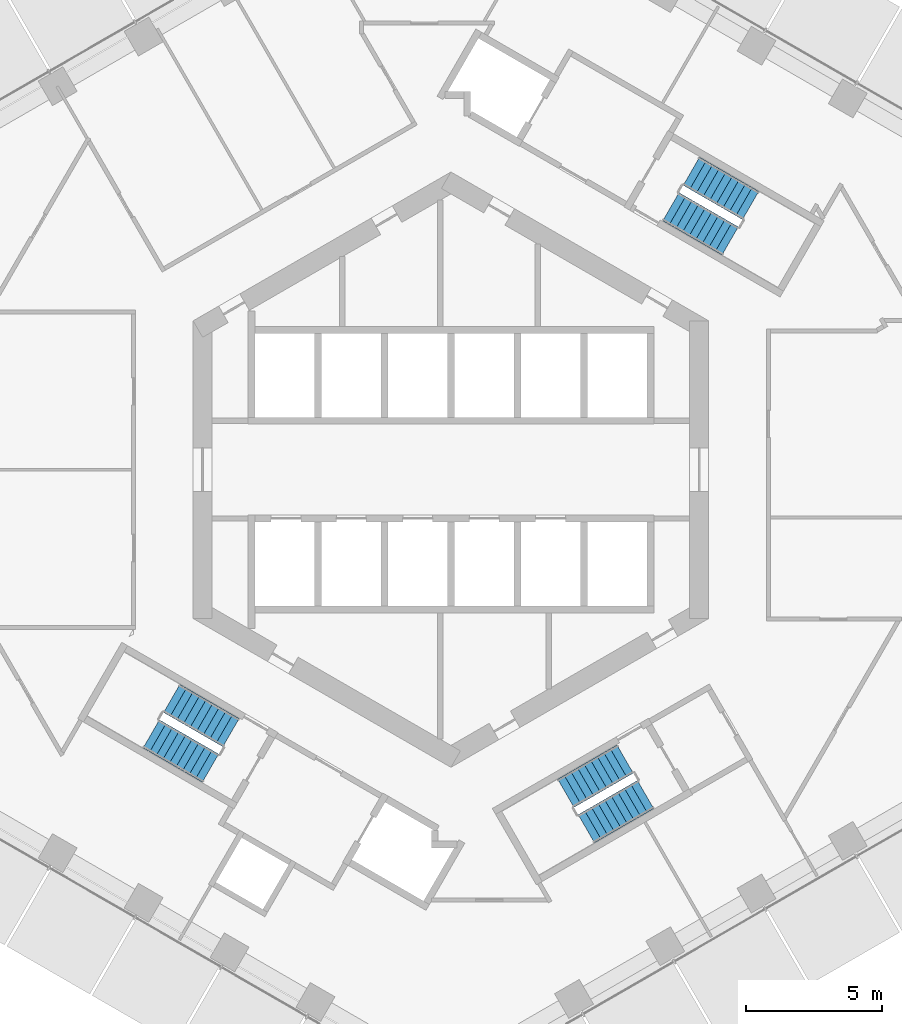
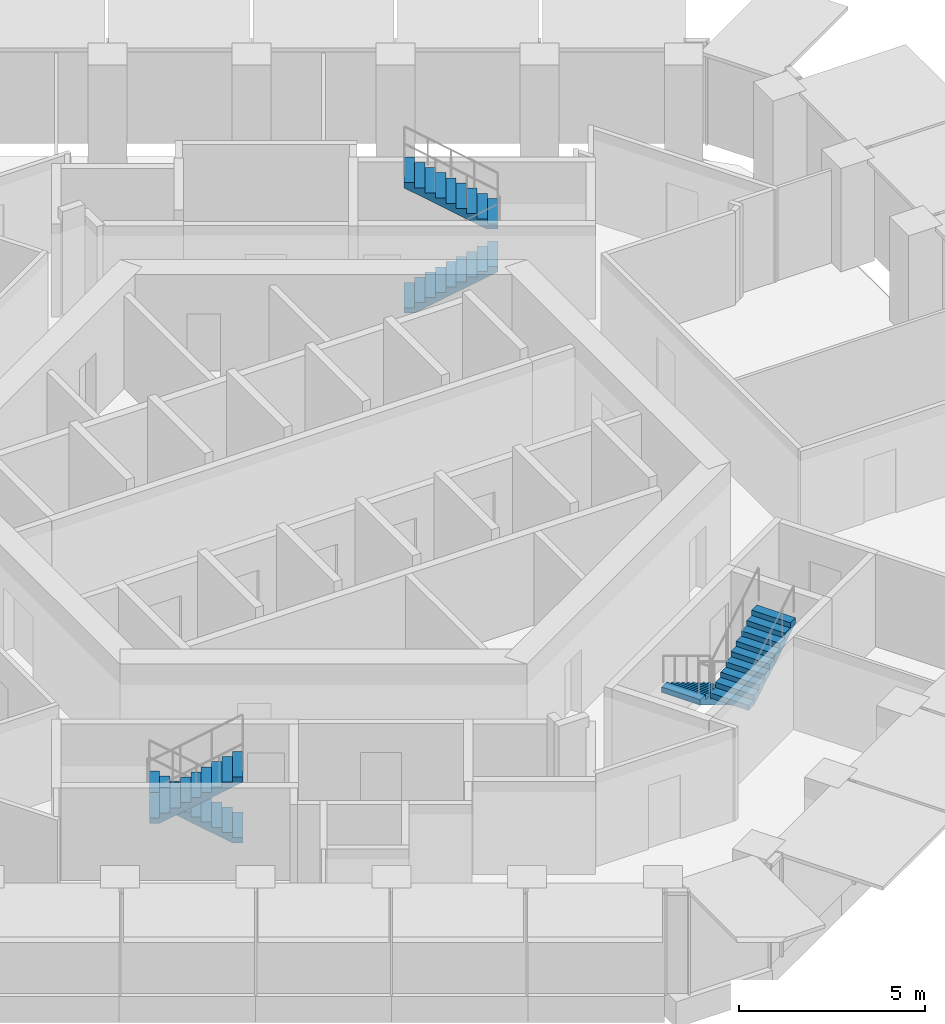
# One storey, part 17 of 19: 6 stair flights, 3 elements without a shape of their own.
"""IFC4 building model written with IfcOpenShell, lengths in metres."""

from ifc_helpers import new_model, si_unit, direction, frame, origin, place, context, subcontext, project, spatial, triangles, material, type_object, element, aggregate, save


model = new_model("IFC4")

# Units and contexts
model_context = context("Model", 3, precision=1e-05, world=origin(), true_north=direction((0.0, 1.0)))
body_context = subcontext(model_context, "Body", "Model", "MODEL_VIEW")
ifc_project = project(units=[si_unit("LENGTHUNIT", "METRE"), si_unit("AREAUNIT", "SQUARE_METRE"), si_unit("VOLUMEUNIT", "CUBIC_METRE"), si_unit("PLANEANGLEUNIT", "RADIAN"), si_unit("MASSUNIT", "GRAM", prefix="KILO")], contexts=[model_context])

# Site, building, storey
site_placement = place(None, origin())
site = spatial("IfcSite", under=ifc_project, at=site_placement, CompositionType="ELEMENT")
building_placement = place(site_placement, origin())
building = spatial("IfcBuilding", under=site, at=building_placement, Name="Ayvan Gate Tower", CompositionType="ELEMENT")
storey_placement = place(building_placement, frame((0.0, 0.0, 100.10009765625)))
storey = spatial("IfcBuildingStorey", under=building, at=storey_placement, Name="L26", CompositionType="ELEMENT", Elevation=100.10009765625)

# Stair, stair flights
ifc_material = material(Name="Concrete C40/50", Category="concrete")
stair_type = type_object("IfcStairType", Name="ST-EXIT", PredefinedType="HALF_TURN_STAIR", material=ifc_material)
stair_1_placement = place(storey_placement, origin())
stair_1 = element("IfcStair", 1, at=stair_1_placement, inside=storey, type_object=stair_type, Name="L26 Exit Stair S1", PredefinedType="HALF_TURN_STAIR")
stair_flight_type = type_object("IfcStairFlightType", Name="SFL-EXIT", PredefinedType="STRAIGHT", material=ifc_material)
stair_flight_1_placement = place(storey_placement, frame((8.106201171875, 9.690185546875, 0.0), z_axis=(0.0, 0.0, 1.0), x_axis=(0.866025403784, -0.5, 0.0)))
stair_flight_1 = element("IfcStairFlight", 2, at=stair_flight_1_placement, type_object=stair_flight_type, Name="STS1 flight 1", NumberOfRisers=10, NumberOfTreads=9, PredefinedType="STRAIGHT", RiserHeight=0.17, TreadLength=0.28, context=body_context, shape_type="Tessellation", body=[
    triangles([(0.288841, -0.599976, 0.0), (2.5205, -0.599976, 1.354936), (2.5205, -0.599976, 1.53), (2.24, -0.599976, 1.53), (2.24, -0.599976, 1.36), (1.96, -0.599976, 1.36), (1.96, -0.599976, 1.19), (1.68, -0.599976, 1.19), (1.68, -0.599976, 1.02), (1.4, -0.599976, 1.02), (1.4, -0.599976, 0.85), (1.12, -0.599976, 0.85), (1.12, -0.599976, 0.68), (0.84, -0.599976, 0.68), (0.84, -0.599976, 0.51), (0.56, -0.599976, 0.51), (0.56, -0.599976, 0.34), (0.28, -0.599976, 0.34), (0.28, -0.599976, 0.17), (-0.0005, -0.599976, 0.17), (-0.0005, -0.599976, 0.0), (0.288841, 0.0, 0.0), (2.5205, 0.0, 1.354936), (2.5205, 0.0, 1.53), (2.24, 0.0, 1.53), (2.24, 0.0, 1.36), (1.96, 0.0, 1.36), (1.96, 0.0, 1.19), (1.68, 0.0, 1.19), (1.68, 0.0, 1.02), (1.4, 0.0, 1.02), (1.4, 0.0, 0.85), (1.12, 0.0, 0.85), (1.12, 0.0, 0.68), (0.84, 0.0, 0.68), (0.84, 0.0, 0.51), (0.56, 0.0, 0.51), (0.56, 0.0, 0.34), (0.28, 0.0, 0.34), (0.28, 0.0, 0.17), (-0.0005, 0.0, 0.17), (-0.0005, 0.0, 0.0), (0.288841, 0.599976, 0.0), (2.5205, 0.599976, 1.354936), (2.5205, 0.599976, 1.53), (2.24, 0.599976, 1.53), (2.24, 0.599976, 1.36), (1.96, 0.599976, 1.36), (1.96, 0.599976, 1.19), (1.68, 0.599976, 1.19), (1.68, 0.599976, 1.02), (1.4, 0.599976, 1.02), (1.4, 0.599976, 0.85), (1.12, 0.599976, 0.85), (1.12, 0.599976, 0.68), (0.84, 0.599976, 0.68), (0.84, 0.599976, 0.51), (0.56, 0.599976, 0.51), (0.56, 0.599976, 0.34), (0.28, 0.599976, 0.34), (0.28, 0.599976, 0.17), (-0.0005, 0.599976, 0.17), (-0.0005, 0.599976, 0.0)], [[21, 1, 2], [63, 44, 43], [2, 3, 4], [44, 46, 45], [2, 4, 5], [44, 47, 46], [2, 5, 6], [44, 48, 47], [2, 6, 7], [44, 49, 48], [7, 8, 9], [49, 51, 50], [2, 7, 9], [44, 51, 49], [9, 10, 11], [51, 53, 52], [2, 9, 11], [44, 53, 51], [11, 12, 13], [53, 55, 54], [2, 11, 13], [44, 55, 53], [13, 14, 15], [55, 57, 56], [2, 13, 15], [44, 57, 55], [15, 16, 17], [57, 59, 58], [2, 15, 17], [44, 59, 57], [17, 18, 19], [59, 61, 60], [2, 17, 19], [44, 61, 59], [21, 2, 19], [63, 61, 44], [19, 20, 21], [61, 63, 62], [1, 22, 23], [1, 23, 2], [43, 23, 22], [43, 44, 23], [2, 23, 24], [2, 24, 3], [44, 24, 23], [44, 45, 24], [3, 24, 25], [3, 25, 4], [45, 25, 24], [45, 46, 25], [4, 25, 26], [4, 26, 5], [46, 26, 25], [46, 47, 26], [5, 26, 27], [5, 27, 6], [47, 27, 26], [47, 48, 27], [6, 27, 28], [6, 28, 7], [48, 28, 27], [48, 49, 28], [7, 28, 29], [7, 29, 8], [49, 29, 28], [49, 50, 29], [8, 29, 30], [8, 30, 9], [50, 30, 29], [50, 51, 30], [9, 30, 31], [9, 31, 10], [51, 31, 30], [51, 52, 31], [10, 31, 32], [10, 32, 11], [52, 32, 31], [52, 53, 32], [11, 32, 33], [11, 33, 12], [53, 33, 32], [53, 54, 33], [12, 33, 34], [12, 34, 13], [54, 34, 33], [54, 55, 34], [13, 34, 35], [13, 35, 14], [55, 35, 34], [55, 56, 35], [14, 35, 36], [14, 36, 15], [56, 36, 35], [56, 57, 36], [15, 36, 37], [15, 37, 16], [57, 37, 36], [57, 58, 37], [16, 37, 38], [16, 38, 17], [58, 38, 37], [58, 59, 38], [17, 38, 39], [17, 39, 18], [59, 39, 38], [59, 60, 39], [18, 39, 40], [18, 40, 19], [60, 40, 39], [60, 61, 40], [19, 40, 41], [19, 41, 20], [61, 41, 40], [61, 62, 41], [20, 41, 42], [20, 42, 21], [62, 42, 41], [62, 63, 42], [21, 42, 22], [21, 22, 1], [63, 22, 42], [63, 43, 22]], closed=True),
])
stair_flight_2_placement = place(storey_placement, frame((11.04345703125, 9.73779296875, 1.699951171875), z_axis=(0.0, 0.0, 1.0), x_axis=(-0.866025403784, 0.5, 0.0)))
stair_flight_2 = element("IfcStairFlight", 3, at=stair_flight_2_placement, type_object=stair_flight_type, Name="STS1 flight 2", NumberOfRisers=10, NumberOfTreads=9, PredefinedType="STRAIGHT", RiserHeight=0.17, TreadLength=0.28, context=body_context, shape_type="Tessellation", body=[
    triangles([(0.288841, -0.599976, 0.0), (2.5205, -0.599976, 1.354936), (2.5205, -0.599976, 1.53), (2.24, -0.599976, 1.53), (2.24, -0.599976, 1.36), (1.96, -0.599976, 1.36), (1.96, -0.599976, 1.19), (1.68, -0.599976, 1.19), (1.68, -0.599976, 1.02), (1.4, -0.599976, 1.02), (1.4, -0.599976, 0.85), (1.12, -0.599976, 0.85), (1.12, -0.599976, 0.68), (0.84, -0.599976, 0.68), (0.84, -0.599976, 0.51), (0.56, -0.599976, 0.51), (0.56, -0.599976, 0.34), (0.28, -0.599976, 0.34), (0.28, -0.599976, 0.17), (-0.0005, -0.599976, 0.17), (-0.0005, -0.599976, 0.0), (0.288841, 0.0, 0.0), (2.5205, 0.0, 1.354936), (2.5205, 0.0, 1.53), (2.24, 0.0, 1.53), (2.24, 0.0, 1.36), (1.96, 0.0, 1.36), (1.96, 0.0, 1.19), (1.68, 0.0, 1.19), (1.68, 0.0, 1.02), (1.4, 0.0, 1.02), (1.4, 0.0, 0.85), (1.12, 0.0, 0.85), (1.12, 0.0, 0.68), (0.84, 0.0, 0.68), (0.84, 0.0, 0.51), (0.56, 0.0, 0.51), (0.56, 0.0, 0.34), (0.28, 0.0, 0.34), (0.28, 0.0, 0.17), (-0.0005, 0.0, 0.17), (-0.0005, 0.0, 0.0), (0.288841, 0.599976, 0.0), (2.5205, 0.599976, 1.354936), (2.5205, 0.599976, 1.53), (2.24, 0.599976, 1.53), (2.24, 0.599976, 1.36), (1.96, 0.599976, 1.36), (1.96, 0.599976, 1.19), (1.68, 0.599976, 1.19), (1.68, 0.599976, 1.02), (1.4, 0.599976, 1.02), (1.4, 0.599976, 0.85), (1.12, 0.599976, 0.85), (1.12, 0.599976, 0.68), (0.84, 0.599976, 0.68), (0.84, 0.599976, 0.51), (0.56, 0.599976, 0.51), (0.56, 0.599976, 0.34), (0.28, 0.599976, 0.34), (0.28, 0.599976, 0.17), (-0.0005, 0.599976, 0.17), (-0.0005, 0.599976, 0.0)], [[21, 1, 2], [63, 44, 43], [2, 3, 4], [44, 46, 45], [2, 4, 5], [44, 47, 46], [2, 5, 6], [44, 48, 47], [2, 6, 7], [44, 49, 48], [7, 8, 9], [49, 51, 50], [2, 7, 9], [44, 51, 49], [9, 10, 11], [51, 53, 52], [2, 9, 11], [44, 53, 51], [11, 12, 13], [53, 55, 54], [2, 11, 13], [44, 55, 53], [13, 14, 15], [55, 57, 56], [2, 13, 15], [44, 57, 55], [15, 16, 17], [57, 59, 58], [2, 15, 17], [44, 59, 57], [17, 18, 19], [59, 61, 60], [2, 17, 19], [44, 61, 59], [21, 2, 19], [63, 61, 44], [19, 20, 21], [61, 63, 62], [1, 22, 23], [1, 23, 2], [43, 23, 22], [43, 44, 23], [2, 23, 24], [2, 24, 3], [44, 24, 23], [44, 45, 24], [3, 24, 25], [3, 25, 4], [45, 25, 24], [45, 46, 25], [4, 25, 26], [4, 26, 5], [46, 26, 25], [46, 47, 26], [5, 26, 27], [5, 27, 6], [47, 27, 26], [47, 48, 27], [6, 27, 28], [6, 28, 7], [48, 28, 27], [48, 49, 28], [7, 28, 29], [7, 29, 8], [49, 29, 28], [49, 50, 29], [8, 29, 30], [8, 30, 9], [50, 30, 29], [50, 51, 30], [9, 30, 31], [9, 31, 10], [51, 31, 30], [51, 52, 31], [10, 31, 32], [10, 32, 11], [52, 32, 31], [52, 53, 32], [11, 32, 33], [11, 33, 12], [53, 33, 32], [53, 54, 33], [12, 33, 34], [12, 34, 13], [54, 34, 33], [54, 55, 34], [13, 34, 35], [13, 35, 14], [55, 35, 34], [55, 56, 35], [14, 35, 36], [14, 36, 15], [56, 36, 35], [56, 57, 36], [15, 36, 37], [15, 37, 16], [57, 37, 36], [57, 58, 37], [16, 37, 38], [16, 38, 17], [58, 38, 37], [58, 59, 38], [17, 38, 39], [17, 39, 18], [59, 39, 38], [59, 60, 39], [18, 39, 40], [18, 40, 19], [60, 40, 39], [60, 61, 40], [19, 40, 41], [19, 41, 20], [61, 41, 40], [61, 62, 41], [20, 41, 42], [20, 42, 21], [62, 42, 41], [62, 63, 42], [21, 42, 22], [21, 22, 1], [63, 22, 42], [63, 43, 22]], closed=True),
])
aggregate(stair_1, [stair_flight_1, stair_flight_2])

stair_2_placement = place(storey_placement, origin())
stair_2 = element("IfcStair", 4, at=stair_2_placement, inside=storey, type_object=stair_type, Name="L26 Exit Stair S2", PredefinedType="HALF_TURN_STAIR")
stair_flight_3_placement = place(storey_placement, frame((-8.106201171875, -9.690185546875, 0.0), z_axis=(0.0, 0.0, 1.0), x_axis=(-0.866025403784, 0.5, 0.0)))
stair_flight_3 = element("IfcStairFlight", 5, at=stair_flight_3_placement, type_object=stair_flight_type, Name="STS2 flight 1", NumberOfRisers=10, NumberOfTreads=9, PredefinedType="STRAIGHT", RiserHeight=0.17, TreadLength=0.28, context=body_context, shape_type="Tessellation", body=[
    triangles([(0.288841, -0.599976, 0.0), (2.5205, -0.599976, 1.354936), (2.5205, -0.599976, 1.53), (2.24, -0.599976, 1.53), (2.24, -0.599976, 1.36), (1.96, -0.599976, 1.36), (1.96, -0.599976, 1.19), (1.68, -0.599976, 1.19), (1.68, -0.599976, 1.02), (1.4, -0.599976, 1.02), (1.4, -0.599976, 0.85), (1.12, -0.599976, 0.85), (1.12, -0.599976, 0.68), (0.84, -0.599976, 0.68), (0.84, -0.599976, 0.51), (0.56, -0.599976, 0.51), (0.56, -0.599976, 0.34), (0.28, -0.599976, 0.34), (0.28, -0.599976, 0.17), (-0.0005, -0.599976, 0.17), (-0.0005, -0.599976, 0.0), (0.288841, 0.0, 0.0), (2.5205, 0.0, 1.354936), (2.5205, 0.0, 1.53), (2.24, 0.0, 1.53), (2.24, 0.0, 1.36), (1.96, 0.0, 1.36), (1.96, 0.0, 1.19), (1.68, 0.0, 1.19), (1.68, 0.0, 1.02), (1.4, 0.0, 1.02), (1.4, 0.0, 0.85), (1.12, 0.0, 0.85), (1.12, 0.0, 0.68), (0.84, 0.0, 0.68), (0.84, 0.0, 0.51), (0.56, 0.0, 0.51), (0.56, 0.0, 0.34), (0.28, 0.0, 0.34), (0.28, 0.0, 0.17), (-0.0005, 0.0, 0.17), (-0.0005, 0.0, 0.0), (0.288841, 0.599976, 0.0), (2.5205, 0.599976, 1.354936), (2.5205, 0.599976, 1.53), (2.24, 0.599976, 1.53), (2.24, 0.599976, 1.36), (1.96, 0.599976, 1.36), (1.96, 0.599976, 1.19), (1.68, 0.599976, 1.19), (1.68, 0.599976, 1.02), (1.4, 0.599976, 1.02), (1.4, 0.599976, 0.85), (1.12, 0.599976, 0.85), (1.12, 0.599976, 0.68), (0.84, 0.599976, 0.68), (0.84, 0.599976, 0.51), (0.56, 0.599976, 0.51), (0.56, 0.599976, 0.34), (0.28, 0.599976, 0.34), (0.28, 0.599976, 0.17), (-0.0005, 0.599976, 0.17), (-0.0005, 0.599976, 0.0)], [[21, 1, 2], [63, 44, 43], [2, 3, 4], [44, 46, 45], [2, 4, 5], [44, 47, 46], [2, 5, 6], [44, 48, 47], [2, 6, 7], [44, 49, 48], [7, 8, 9], [49, 51, 50], [2, 7, 9], [44, 51, 49], [9, 10, 11], [51, 53, 52], [2, 9, 11], [44, 53, 51], [11, 12, 13], [53, 55, 54], [2, 11, 13], [44, 55, 53], [13, 14, 15], [55, 57, 56], [2, 13, 15], [44, 57, 55], [15, 16, 17], [57, 59, 58], [2, 15, 17], [44, 59, 57], [17, 18, 19], [59, 61, 60], [2, 17, 19], [44, 61, 59], [21, 2, 19], [63, 61, 44], [19, 20, 21], [61, 63, 62], [1, 22, 23], [1, 23, 2], [43, 23, 22], [43, 44, 23], [2, 23, 24], [2, 24, 3], [44, 24, 23], [44, 45, 24], [3, 24, 25], [3, 25, 4], [45, 25, 24], [45, 46, 25], [4, 25, 26], [4, 26, 5], [46, 26, 25], [46, 47, 26], [5, 26, 27], [5, 27, 6], [47, 27, 26], [47, 48, 27], [6, 27, 28], [6, 28, 7], [48, 28, 27], [48, 49, 28], [7, 28, 29], [7, 29, 8], [49, 29, 28], [49, 50, 29], [8, 29, 30], [8, 30, 9], [50, 30, 29], [50, 51, 30], [9, 30, 31], [9, 31, 10], [51, 31, 30], [51, 52, 31], [10, 31, 32], [10, 32, 11], [52, 32, 31], [52, 53, 32], [11, 32, 33], [11, 33, 12], [53, 33, 32], [53, 54, 33], [12, 33, 34], [12, 34, 13], [54, 34, 33], [54, 55, 34], [13, 34, 35], [13, 35, 14], [55, 35, 34], [55, 56, 35], [14, 35, 36], [14, 36, 15], [56, 36, 35], [56, 57, 36], [15, 36, 37], [15, 37, 16], [57, 37, 36], [57, 58, 37], [16, 37, 38], [16, 38, 17], [58, 38, 37], [58, 59, 38], [17, 38, 39], [17, 39, 18], [59, 39, 38], [59, 60, 39], [18, 39, 40], [18, 40, 19], [60, 40, 39], [60, 61, 40], [19, 40, 41], [19, 41, 20], [61, 41, 40], [61, 62, 41], [20, 41, 42], [20, 42, 21], [62, 42, 41], [62, 63, 42], [21, 42, 22], [21, 22, 1], [63, 22, 42], [63, 43, 22]], closed=True),
])
stair_flight_4_placement = place(storey_placement, frame((-11.04345703125, -9.73779296875, 1.699951171875), z_axis=(0.0, 0.0, 1.0), x_axis=(0.866025403784, -0.5, 0.0)))
stair_flight_4 = element("IfcStairFlight", 6, at=stair_flight_4_placement, type_object=stair_flight_type, Name="STS2 flight 2", NumberOfRisers=10, NumberOfTreads=9, PredefinedType="STRAIGHT", RiserHeight=0.17, TreadLength=0.28, context=body_context, shape_type="Tessellation", body=[
    triangles([(0.288841, -0.599976, 0.0), (2.5205, -0.599976, 1.354936), (2.5205, -0.599976, 1.53), (2.24, -0.599976, 1.53), (2.24, -0.599976, 1.36), (1.96, -0.599976, 1.36), (1.96, -0.599976, 1.19), (1.68, -0.599976, 1.19), (1.68, -0.599976, 1.02), (1.4, -0.599976, 1.02), (1.4, -0.599976, 0.85), (1.12, -0.599976, 0.85), (1.12, -0.599976, 0.68), (0.84, -0.599976, 0.68), (0.84, -0.599976, 0.51), (0.56, -0.599976, 0.51), (0.56, -0.599976, 0.34), (0.28, -0.599976, 0.34), (0.28, -0.599976, 0.17), (-0.0005, -0.599976, 0.17), (-0.0005, -0.599976, 0.0), (0.288841, 0.0, 0.0), (2.5205, 0.0, 1.354936), (2.5205, 0.0, 1.53), (2.24, 0.0, 1.53), (2.24, 0.0, 1.36), (1.96, 0.0, 1.36), (1.96, 0.0, 1.19), (1.68, 0.0, 1.19), (1.68, 0.0, 1.02), (1.4, 0.0, 1.02), (1.4, 0.0, 0.85), (1.12, 0.0, 0.85), (1.12, 0.0, 0.68), (0.84, 0.0, 0.68), (0.84, 0.0, 0.51), (0.56, 0.0, 0.51), (0.56, 0.0, 0.34), (0.28, 0.0, 0.34), (0.28, 0.0, 0.17), (-0.0005, 0.0, 0.17), (-0.0005, 0.0, 0.0), (0.288841, 0.599976, 0.0), (2.5205, 0.599976, 1.354936), (2.5205, 0.599976, 1.53), (2.24, 0.599976, 1.53), (2.24, 0.599976, 1.36), (1.96, 0.599976, 1.36), (1.96, 0.599976, 1.19), (1.68, 0.599976, 1.19), (1.68, 0.599976, 1.02), (1.4, 0.599976, 1.02), (1.4, 0.599976, 0.85), (1.12, 0.599976, 0.85), (1.12, 0.599976, 0.68), (0.84, 0.599976, 0.68), (0.84, 0.599976, 0.51), (0.56, 0.599976, 0.51), (0.56, 0.599976, 0.34), (0.28, 0.599976, 0.34), (0.28, 0.599976, 0.17), (-0.0005, 0.599976, 0.17), (-0.0005, 0.599976, 0.0)], [[21, 1, 2], [63, 44, 43], [2, 3, 4], [44, 46, 45], [2, 4, 5], [44, 47, 46], [2, 5, 6], [44, 48, 47], [2, 6, 7], [44, 49, 48], [7, 8, 9], [49, 51, 50], [2, 7, 9], [44, 51, 49], [9, 10, 11], [51, 53, 52], [2, 9, 11], [44, 53, 51], [11, 12, 13], [53, 55, 54], [2, 11, 13], [44, 55, 53], [13, 14, 15], [55, 57, 56], [2, 13, 15], [44, 57, 55], [15, 16, 17], [57, 59, 58], [2, 15, 17], [44, 59, 57], [17, 18, 19], [59, 61, 60], [2, 17, 19], [44, 61, 59], [21, 2, 19], [63, 61, 44], [19, 20, 21], [61, 63, 62], [1, 22, 23], [1, 23, 2], [43, 23, 22], [43, 44, 23], [2, 23, 24], [2, 24, 3], [44, 24, 23], [44, 45, 24], [3, 24, 25], [3, 25, 4], [45, 25, 24], [45, 46, 25], [4, 25, 26], [4, 26, 5], [46, 26, 25], [46, 47, 26], [5, 26, 27], [5, 27, 6], [47, 27, 26], [47, 48, 27], [6, 27, 28], [6, 28, 7], [48, 28, 27], [48, 49, 28], [7, 28, 29], [7, 29, 8], [49, 29, 28], [49, 50, 29], [8, 29, 30], [8, 30, 9], [50, 30, 29], [50, 51, 30], [9, 30, 31], [9, 31, 10], [51, 31, 30], [51, 52, 31], [10, 31, 32], [10, 32, 11], [52, 32, 31], [52, 53, 32], [11, 32, 33], [11, 33, 12], [53, 33, 32], [53, 54, 33], [12, 33, 34], [12, 34, 13], [54, 34, 33], [54, 55, 34], [13, 34, 35], [13, 35, 14], [55, 35, 34], [55, 56, 35], [14, 35, 36], [14, 36, 15], [56, 36, 35], [56, 57, 36], [15, 36, 37], [15, 37, 16], [57, 37, 36], [57, 58, 37], [16, 37, 38], [16, 38, 17], [58, 38, 37], [58, 59, 38], [17, 38, 39], [17, 39, 18], [59, 39, 38], [59, 60, 39], [18, 39, 40], [18, 40, 19], [60, 40, 39], [60, 61, 40], [19, 40, 41], [19, 41, 20], [61, 41, 40], [61, 62, 41], [20, 41, 42], [20, 42, 21], [62, 42, 41], [62, 63, 42], [21, 42, 22], [21, 22, 1], [63, 22, 42], [63, 43, 22]], closed=True),
])
aggregate(stair_2, [stair_flight_3, stair_flight_4])

stair_3_placement = place(storey_placement, origin())
stair_3 = element("IfcStair", 7, at=stair_3_placement, inside=storey, type_object=stair_type, Name="L26 Exit Stair S3", PredefinedType="HALF_TURN_STAIR")
stair_flight_5_placement = place(storey_placement, frame((6.417236328125, -10.665283203125, 0.0), z_axis=(0.0, 0.0, 1.0), x_axis=(-0.866025403784, -0.5, 0.0)))
stair_flight_5 = element("IfcStairFlight", 8, at=stair_flight_5_placement, type_object=stair_flight_type, Name="STS3 flight 1", NumberOfRisers=10, NumberOfTreads=9, PredefinedType="STRAIGHT", RiserHeight=0.17, TreadLength=0.28, context=body_context, shape_type="Tessellation", body=[
    triangles([(0.288841, -0.599976, 0.0), (2.5205, -0.599976, 1.354936), (2.5205, -0.599976, 1.53), (2.24, -0.599976, 1.53), (2.24, -0.599976, 1.36), (1.96, -0.599976, 1.36), (1.96, -0.599976, 1.19), (1.68, -0.599976, 1.19), (1.68, -0.599976, 1.02), (1.4, -0.599976, 1.02), (1.4, -0.599976, 0.85), (1.12, -0.599976, 0.85), (1.12, -0.599976, 0.68), (0.84, -0.599976, 0.68), (0.84, -0.599976, 0.51), (0.56, -0.599976, 0.51), (0.56, -0.599976, 0.34), (0.28, -0.599976, 0.34), (0.28, -0.599976, 0.17), (-0.0005, -0.599976, 0.17), (-0.0005, -0.599976, 0.0), (0.288841, 0.0, 0.0), (2.5205, 0.0, 1.354936), (2.5205, 0.0, 1.53), (2.24, 0.0, 1.53), (2.24, 0.0, 1.36), (1.96, 0.0, 1.36), (1.96, 0.0, 1.19), (1.68, 0.0, 1.19), (1.68, 0.0, 1.02), (1.4, 0.0, 1.02), (1.4, 0.0, 0.85), (1.12, 0.0, 0.85), (1.12, 0.0, 0.68), (0.84, 0.0, 0.68), (0.84, 0.0, 0.51), (0.56, 0.0, 0.51), (0.56, 0.0, 0.34), (0.28, 0.0, 0.34), (0.28, 0.0, 0.17), (-0.0005, 0.0, 0.17), (-0.0005, 0.0, 0.0), (0.288841, 0.599976, 0.0), (2.5205, 0.599976, 1.354936), (2.5205, 0.599976, 1.53), (2.24, 0.599976, 1.53), (2.24, 0.599976, 1.36), (1.96, 0.599976, 1.36), (1.96, 0.599976, 1.19), (1.68, 0.599976, 1.19), (1.68, 0.599976, 1.02), (1.4, 0.599976, 1.02), (1.4, 0.599976, 0.85), (1.12, 0.599976, 0.85), (1.12, 0.599976, 0.68), (0.84, 0.599976, 0.68), (0.84, 0.599976, 0.51), (0.56, 0.599976, 0.51), (0.56, 0.599976, 0.34), (0.28, 0.599976, 0.34), (0.28, 0.599976, 0.17), (-0.0005, 0.599976, 0.17), (-0.0005, 0.599976, 0.0)], [[21, 1, 2], [63, 44, 43], [2, 3, 4], [44, 46, 45], [2, 4, 5], [44, 47, 46], [2, 5, 6], [44, 48, 47], [2, 6, 7], [44, 49, 48], [7, 8, 9], [49, 51, 50], [2, 7, 9], [44, 51, 49], [9, 10, 11], [51, 53, 52], [2, 9, 11], [44, 53, 51], [11, 12, 13], [53, 55, 54], [2, 11, 13], [44, 55, 53], [13, 14, 15], [55, 57, 56], [2, 13, 15], [44, 57, 55], [15, 16, 17], [57, 59, 58], [2, 15, 17], [44, 59, 57], [17, 18, 19], [59, 61, 60], [2, 17, 19], [44, 61, 59], [21, 2, 19], [63, 61, 44], [19, 20, 21], [61, 63, 62], [1, 22, 23], [1, 23, 2], [43, 23, 22], [43, 44, 23], [2, 23, 24], [2, 24, 3], [44, 24, 23], [44, 45, 24], [3, 24, 25], [3, 25, 4], [45, 25, 24], [45, 46, 25], [4, 25, 26], [4, 26, 5], [46, 26, 25], [46, 47, 26], [5, 26, 27], [5, 27, 6], [47, 27, 26], [47, 48, 27], [6, 27, 28], [6, 28, 7], [48, 28, 27], [48, 49, 28], [7, 28, 29], [7, 29, 8], [49, 29, 28], [49, 50, 29], [8, 29, 30], [8, 30, 9], [50, 30, 29], [50, 51, 30], [9, 30, 31], [9, 31, 10], [51, 31, 30], [51, 52, 31], [10, 31, 32], [10, 32, 11], [52, 32, 31], [52, 53, 32], [11, 32, 33], [11, 33, 12], [53, 33, 32], [53, 54, 33], [12, 33, 34], [12, 34, 13], [54, 34, 33], [54, 55, 34], [13, 34, 35], [13, 35, 14], [55, 35, 34], [55, 56, 35], [14, 35, 36], [14, 36, 15], [56, 36, 35], [56, 57, 36], [15, 36, 37], [15, 37, 16], [57, 37, 36], [57, 58, 37], [16, 37, 38], [16, 38, 17], [58, 38, 37], [58, 59, 38], [17, 38, 39], [17, 39, 18], [59, 39, 38], [59, 60, 39], [18, 39, 40], [18, 40, 19], [60, 40, 39], [60, 61, 40], [19, 40, 41], [19, 41, 20], [61, 41, 40], [61, 62, 41], [20, 41, 42], [20, 42, 21], [62, 42, 41], [62, 63, 42], [21, 42, 22], [21, 22, 1], [63, 22, 42], [63, 43, 22]], closed=True),
])
stair_flight_6_placement = place(storey_placement, frame((4.989990234375, -13.23291015625, 1.699951171875), z_axis=(0.0, 0.0, 1.0), x_axis=(0.866025403784, 0.5, 0.0)))
stair_flight_6 = element("IfcStairFlight", 9, at=stair_flight_6_placement, type_object=stair_flight_type, Name="STS3 flight 2", NumberOfRisers=10, NumberOfTreads=9, PredefinedType="STRAIGHT", RiserHeight=0.17, TreadLength=0.28, context=body_context, shape_type="Tessellation", body=[
    triangles([(0.288841, -0.599976, 0.0), (2.5205, -0.599976, 1.354936), (2.5205, -0.599976, 1.53), (2.24, -0.599976, 1.53), (2.24, -0.599976, 1.36), (1.96, -0.599976, 1.36), (1.96, -0.599976, 1.19), (1.68, -0.599976, 1.19), (1.68, -0.599976, 1.02), (1.4, -0.599976, 1.02), (1.4, -0.599976, 0.85), (1.12, -0.599976, 0.85), (1.12, -0.599976, 0.68), (0.84, -0.599976, 0.68), (0.84, -0.599976, 0.51), (0.56, -0.599976, 0.51), (0.56, -0.599976, 0.34), (0.28, -0.599976, 0.34), (0.28, -0.599976, 0.17), (-0.0005, -0.599976, 0.17), (-0.0005, -0.599976, 0.0), (0.288841, 0.0, 0.0), (2.5205, 0.0, 1.354936), (2.5205, 0.0, 1.53), (2.24, 0.0, 1.53), (2.24, 0.0, 1.36), (1.96, 0.0, 1.36), (1.96, 0.0, 1.19), (1.68, 0.0, 1.19), (1.68, 0.0, 1.02), (1.4, 0.0, 1.02), (1.4, 0.0, 0.85), (1.12, 0.0, 0.85), (1.12, 0.0, 0.68), (0.84, 0.0, 0.68), (0.84, 0.0, 0.51), (0.56, 0.0, 0.51), (0.56, 0.0, 0.34), (0.28, 0.0, 0.34), (0.28, 0.0, 0.17), (-0.0005, 0.0, 0.17), (-0.0005, 0.0, 0.0), (0.288841, 0.599976, 0.0), (2.5205, 0.599976, 1.354936), (2.5205, 0.599976, 1.53), (2.24, 0.599976, 1.53), (2.24, 0.599976, 1.36), (1.96, 0.599976, 1.36), (1.96, 0.599976, 1.19), (1.68, 0.599976, 1.19), (1.68, 0.599976, 1.02), (1.4, 0.599976, 1.02), (1.4, 0.599976, 0.85), (1.12, 0.599976, 0.85), (1.12, 0.599976, 0.68), (0.84, 0.599976, 0.68), (0.84, 0.599976, 0.51), (0.56, 0.599976, 0.51), (0.56, 0.599976, 0.34), (0.28, 0.599976, 0.34), (0.28, 0.599976, 0.17), (-0.0005, 0.599976, 0.17), (-0.0005, 0.599976, 0.0)], [[21, 1, 2], [63, 44, 43], [2, 3, 4], [44, 46, 45], [2, 4, 5], [44, 47, 46], [2, 5, 6], [44, 48, 47], [2, 6, 7], [44, 49, 48], [7, 8, 9], [49, 51, 50], [2, 7, 9], [44, 51, 49], [9, 10, 11], [51, 53, 52], [2, 9, 11], [44, 53, 51], [11, 12, 13], [53, 55, 54], [2, 11, 13], [44, 55, 53], [13, 14, 15], [55, 57, 56], [2, 13, 15], [44, 57, 55], [15, 16, 17], [57, 59, 58], [2, 15, 17], [44, 59, 57], [17, 18, 19], [59, 61, 60], [2, 17, 19], [44, 61, 59], [21, 2, 19], [63, 61, 44], [19, 20, 21], [61, 63, 62], [1, 22, 23], [1, 23, 2], [43, 23, 22], [43, 44, 23], [2, 23, 24], [2, 24, 3], [44, 24, 23], [44, 45, 24], [3, 24, 25], [3, 25, 4], [45, 25, 24], [45, 46, 25], [4, 25, 26], [4, 26, 5], [46, 26, 25], [46, 47, 26], [5, 26, 27], [5, 27, 6], [47, 27, 26], [47, 48, 27], [6, 27, 28], [6, 28, 7], [48, 28, 27], [48, 49, 28], [7, 28, 29], [7, 29, 8], [49, 29, 28], [49, 50, 29], [8, 29, 30], [8, 30, 9], [50, 30, 29], [50, 51, 30], [9, 30, 31], [9, 31, 10], [51, 31, 30], [51, 52, 31], [10, 31, 32], [10, 32, 11], [52, 32, 31], [52, 53, 32], [11, 32, 33], [11, 33, 12], [53, 33, 32], [53, 54, 33], [12, 33, 34], [12, 34, 13], [54, 34, 33], [54, 55, 34], [13, 34, 35], [13, 35, 14], [55, 35, 34], [55, 56, 35], [14, 35, 36], [14, 36, 15], [56, 36, 35], [56, 57, 36], [15, 36, 37], [15, 37, 16], [57, 37, 36], [57, 58, 37], [16, 37, 38], [16, 38, 17], [58, 38, 37], [58, 59, 38], [17, 38, 39], [17, 39, 18], [59, 39, 38], [59, 60, 39], [18, 39, 40], [18, 40, 19], [60, 40, 39], [60, 61, 40], [19, 40, 41], [19, 41, 20], [61, 41, 40], [61, 62, 41], [20, 41, 42], [20, 42, 21], [62, 42, 41], [62, 63, 42], [21, 42, 22], [21, 22, 1], [63, 22, 42], [63, 43, 22]], closed=True),
])
aggregate(stair_3, [stair_flight_5, stair_flight_6])

save(model, "model.ifc")
